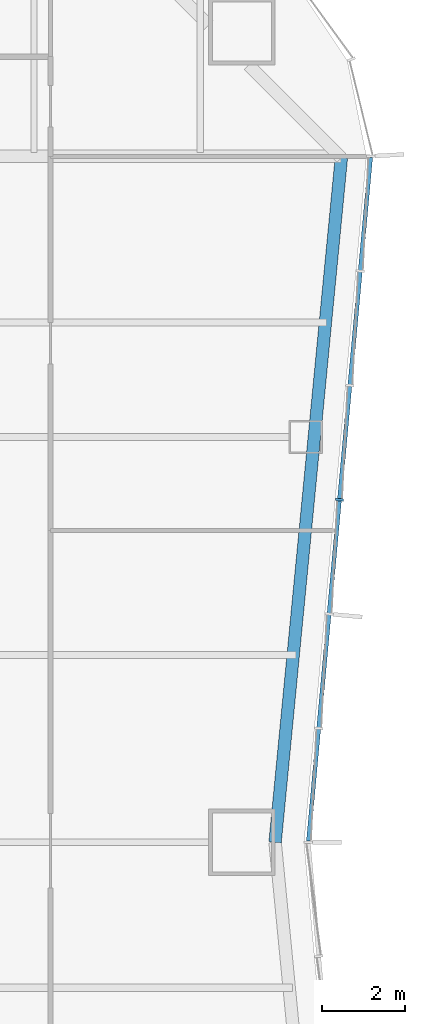
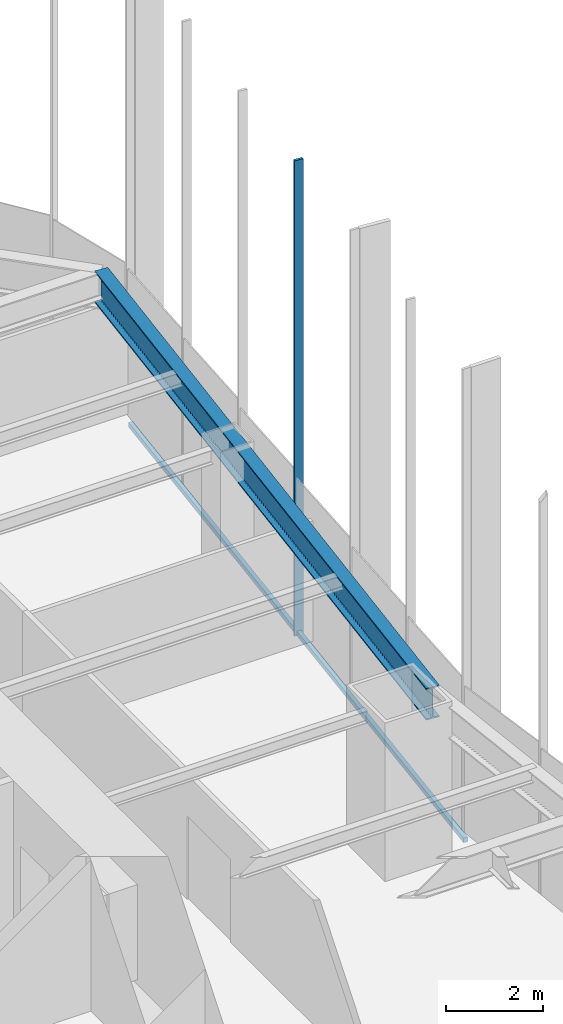
# One storey, part 5 of 13: 2 members, 1 beam, 1 element without a shape of its own.
"""IFC4 building model written with IfcOpenShell, lengths in metres."""

from ifc_helpers import new_model, si_unit, direction, frame, origin, origin_2d, place, context, subcontext, project, spatial, rectangle, i_section, extrude, material, material_profile, profile_set, type_object, element, aggregate, save


model = new_model("IFC4")

# Units and contexts
model_context = context("Model", 3, precision=1e-05, world=origin(), true_north=direction((0.0, 1.0)))
body_context = subcontext(model_context, "Body", "Model", "MODEL_VIEW")
ifc_project = project(units=[si_unit("LENGTHUNIT", "METRE"), si_unit("AREAUNIT", "SQUARE_METRE"), si_unit("VOLUMEUNIT", "CUBIC_METRE"), si_unit("PLANEANGLEUNIT", "RADIAN"), si_unit("MASSUNIT", "GRAM", prefix="KILO")], contexts=[model_context])

# Site, building, storey
site_placement = place(None, origin())
site = spatial("IfcSite", under=ifc_project, at=site_placement, CompositionType="ELEMENT")
building_placement = place(site_placement, origin())
building = spatial("IfcBuilding", under=site, at=building_placement, Name="Verdant Reach Tower", CompositionType="ELEMENT")
storey_placement = place(building_placement, frame((0.0, 0.0, 14.0)))
storey = spatial("IfcBuildingStorey", under=building, at=storey_placement, Name="L02", CompositionType="ELEMENT", Elevation=14.0)

# Curtain wall, members
ifc_material_1 = material(Name="Anodised aluminium", Category="aluminium")
curtain_wall_type = type_object("IfcCurtainWallType", Name="EN-CW SYSTEM Z0", PredefinedType="NOTDEFINED", material=ifc_material_1)
curtain_wall_placement = place(storey_placement, origin())
curtain_wall = element("IfcCurtainWall", 1, at=curtain_wall_placement, inside=storey, type_object=curtain_wall_type, Name="Curtain wall east, L02", PredefinedType="NOTDEFINED")
ifc_material_profile_1 = material_profile(ifc_material_1, rectangle(XDim=0.199951171875, YDim=0.06005859375, at=origin_2d()), Name="Mullion 60x200")
ifc_profile_set_1 = profile_set([ifc_material_profile_1], Name="Anodised aluminium")
member_type_1 = type_object("IfcMemberType", Name="EN-MULLION Z0", PredefinedType="MULLION", material=ifc_profile_set_1)
member_1_placement = place(storey_placement, frame((23.349609375, 30.740966796875, -0.35009765625), z_axis=(0.0, 0.0, 1.0), x_axis=(0.995893206467, -0.090535746047, 0.0)))
member_1 = element("IfcMember", 2, at=member_1_placement, type_object=member_type_1, Name="Mullion east face part 2 4, L02", PredefinedType="MULLION", context=body_context, shape_type="SweptSolid", body=[
    extrude(rectangle(XDim=0.199951171875, YDim=0.06005859375, at=origin_2d()), origin(), (0.0, 0.0, 1.0), 12.0),
])
ifc_material_profile_2 = material_profile(ifc_material_1, rectangle(XDim=0.10009765625, YDim=0.1201171875, at=origin_2d()), Name="Transom 120x100")
ifc_profile_set_2 = profile_set([ifc_material_profile_2], Name="Anodised aluminium")
member_type_2 = type_object("IfcMemberType", Name="EN-TRANSOM Z0", PredefinedType="USERDEFINED", material=ifc_profile_set_2)
member_2_placement = place(storey_placement, frame((22.602783203125, 22.52978515625, -0.2900390625), z_axis=(0.090495755184, 0.995896841191, 0.0), x_axis=(-0.995896841191, 0.090495755184, 0.0)))
member_2 = element("IfcMember", 3, at=member_2_placement, type_object=member_type_2, Name="Transom east face part 2 1.1, L02", ObjectType="TRANSOM", PredefinedType="USERDEFINED", context=body_context, shape_type="SweptSolid", body=[
    extrude(rectangle(XDim=0.10009765625, YDim=0.1201171875, at=origin_2d()), origin(), (0.0, 0.0, 1.0), 16.513427734375),
])
aggregate(curtain_wall, [member_1, member_2])

# Beam
ifc_material_2 = material(Name="Steel S355", Category="steel")
ifc_material_profile_3 = material_profile(ifc_material_2, i_section(OverallWidth=0.300048828125, OverallDepth=0.800048828125, WebThickness=0.017578125, FlangeThickness=0.032958984375, FilletRadius=0.030029296875, at=origin_2d()), Name="HEB 800")
ifc_profile_set_3 = profile_set([ifc_material_profile_3], Name="Steel S355")
beam_type = type_object("IfcBeamType", Name="ST-SPANDREL-HEB800", PredefinedType="SPANDREL", material=ifc_profile_set_3)
beam_placement = place(storey_placement, frame((23.39453125, 38.968017578125, 3.469970703125), z_axis=(-0.096372296695, -0.995345357366, 0.0), x_axis=(0.995345357366, -0.096372296695, 0.0)))
element("IfcBeam", 4, at=beam_placement, inside=storey, type_object=beam_type, Name="Edge beam, L02", PredefinedType="SPANDREL", context=body_context, shape_type="SweptSolid", body=[
    extrude(i_section(OverallWidth=0.300048828125, OverallDepth=0.800048828125, WebThickness=0.017578125, FlangeThickness=0.032958984375, FilletRadius=0.030029296875, at=origin_2d()), origin(), (0.0, 0.0, 1.0), 16.544921875),
])

save(model, "model.ifc")
